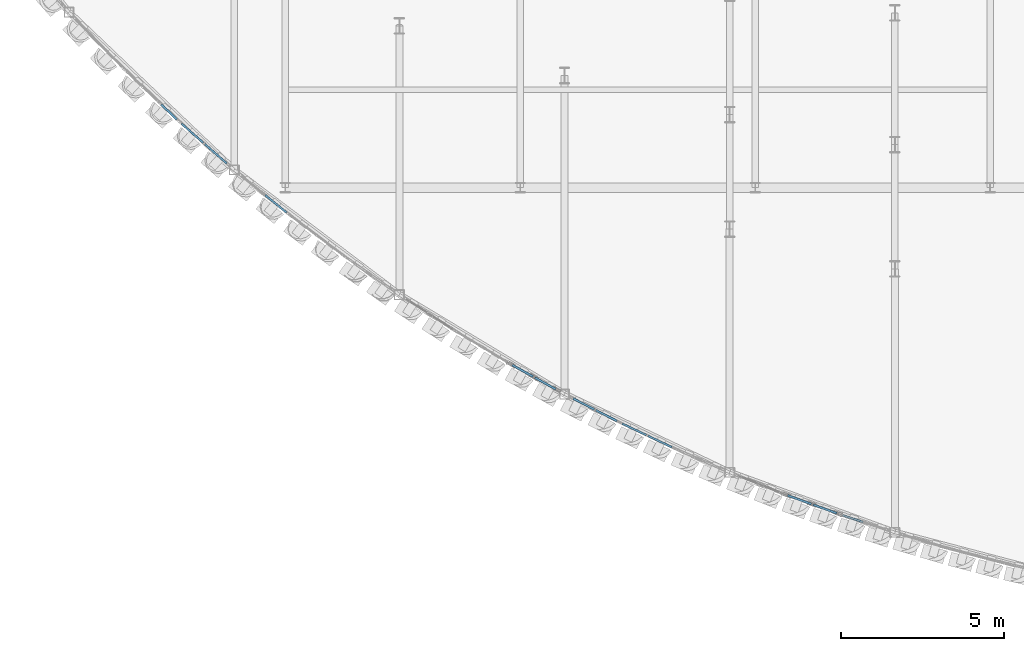
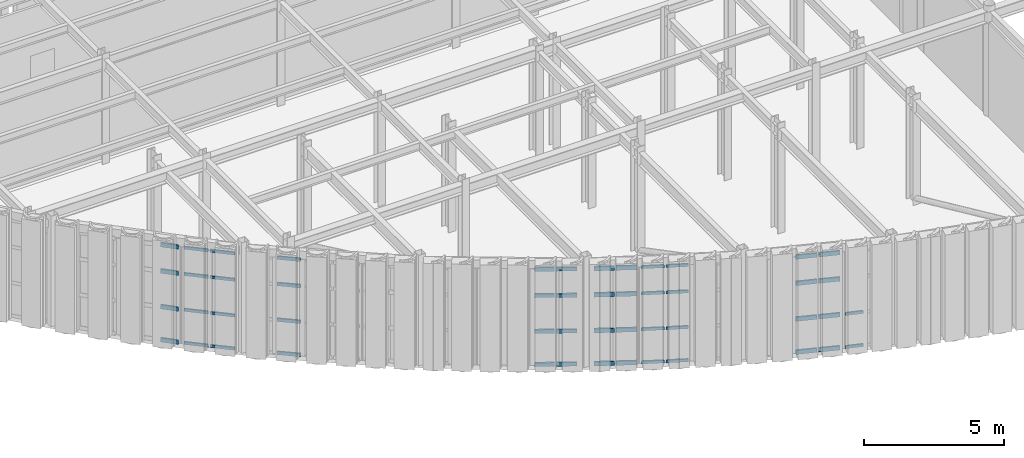
# One storey, part 65 of 121: 50 members, 8 elements without a shape of their own.
"""IFC4 building model written with IfcOpenShell, lengths in metres."""

import ifcopenshell
import ifcopenshell.guid

model = None  # the IFC model being written
_history = None  # IfcOwnerHistory: only IFC2X3 demands one
_inside = {}  # id of a spatial element -> (the spatial element, [elements in it])
_under = {}  # id of a project, library or spatial element -> (it, [spatial elements below it])
_declared = {}  # id of a project -> (the project, [libraries it declares])
_typed = {}  # id of a type object -> (the type object, [elements of that type])
_made_of = {}  # id of a material, layer set ... -> (it, [elements and type objects made of it])


def new_model(schema):
    """Start an empty IFC model of exactly this schema.

    Asked for "IFC4X3", IfcOpenShell would pick the latest addendum, in which some entities
    have other attributes; the version numbers below select the first issue.
    IFC2X3 requires an IfcOwnerHistory on every rooted entity: one is made here for all.
    """
    global model, _history
    if schema == "IFC4X3":
        model = ifcopenshell.file(schema_version=(4, 3, 0, 0))
    else:
        model = ifcopenshell.file(schema=schema)
    _inside.clear()
    _under.clear()
    _declared.clear()
    _typed.clear()
    _made_of.clear()
    _history = None
    if model.schema == "IFC2X3":
        org = make("IfcOrganization", Name="unknown")
        user = make(
            "IfcPersonAndOrganization",
            ThePerson=make("IfcPerson", FamilyName="unknown"),
            TheOrganization=org,
        )
        app = make(
            "IfcApplication",
            ApplicationDeveloper=org,
            Version="unknown",
            ApplicationFullName="unknown",
            ApplicationIdentifier="unknown",
        )
        _history = make(
            "IfcOwnerHistory",
            OwningUser=user,
            OwningApplication=app,
            ChangeAction="ADDED",
            CreationDate=0,
        )
    return model


def make(cls, **values):
    """One entity of the class cls with the attributes given. An attribute that is None is left unset."""
    return model.create_entity(
        cls, **{name: value for name, value in values.items() if value is not None}
    )


def rooted(cls, **values):
    """An entity with a GlobalId (a new one), such as an element, a storey or a relation."""
    return make(cls, GlobalId=ifcopenshell.guid.new(), OwnerHistory=_history, **values)


def si_unit(unit_type, name, prefix=None):
    """IfcSIUnit, for example si_unit("LENGTHUNIT", "METRE", prefix="MILLI")."""
    return make("IfcSIUnit", UnitType=unit_type, Prefix=prefix, Name=name)


def assignment(units):
    """IfcUnitAssignment: the units of a project."""
    return None if units is None else make("IfcUnitAssignment", Units=units)


def point(xyz):
    """IfcCartesianPoint."""
    return None if xyz is None else make("IfcCartesianPoint", Coordinates=xyz)


def direction(xyz):
    """IfcDirection."""
    return None if xyz is None else make("IfcDirection", DirectionRatios=xyz)


def frame(location, z_axis=None, x_axis=None):
    """IfcAxis2Placement3D, a coordinate frame: its origin and axes. An axis left out is left unset."""
    return make(
        "IfcAxis2Placement3D",
        Location=point(location),
        Axis=direction(z_axis),
        RefDirection=direction(x_axis),
    )


def frame_2d(location, x_axis=None):
    """IfcAxis2Placement2D, a coordinate frame in the plane: its origin and x axis."""
    return make(
        "IfcAxis2Placement2D", Location=point(location), RefDirection=direction(x_axis)
    )


def origin():
    """The frame at (0, 0, 0) with its axes left unset."""
    return frame((0.0, 0.0, 0.0))


def origin_2d():
    """The frame at (0, 0) in the plane with its x axis left unset."""
    return frame_2d((0.0, 0.0))


def place(relative_to, where):
    """IfcLocalPlacement: puts the frame where relative to a parent placement (None: the world)."""
    return make(
        "IfcLocalPlacement", PlacementRelTo=relative_to, RelativePlacement=where
    )


def context(
    kind, dimensions, precision=None, world=None, true_north=None, identifier=None
):
    """IfcGeometricRepresentationContext, for example the 3D "Model" context."""
    return make(
        "IfcGeometricRepresentationContext",
        ContextIdentifier=identifier,
        ContextType=kind,
        CoordinateSpaceDimension=dimensions,
        Precision=precision,
        WorldCoordinateSystem=world,
        TrueNorth=true_north,
    )


def subcontext(parent, identifier, kind, view, scale=None):
    """IfcGeometricRepresentationSubContext, for example "Body" below "Model"."""
    return make(
        "IfcGeometricRepresentationSubContext",
        ContextIdentifier=identifier,
        ContextType=kind,
        ParentContext=parent,
        TargetScale=scale,
        TargetView=view,
    )


def project(units=None, contexts=None):
    """IfcProject with its units and contexts."""
    return rooted(
        "IfcProject",
        Name="project",
        RepresentationContexts=contexts,
        UnitsInContext=assignment(units),
    )


def spatial(cls, under=None, at=None, **own):
    """A site, building, storey or space (cls), placed at a placement, below another one or the project."""
    s = rooted(cls, ObjectPlacement=at, **own)
    if under is not None:
        _under.setdefault(under.id(), (under, []))[1].append(s)
    return s


def profile(cls, at=None, kind="AREA", **sizes):
    """A parametric profile (cls). Its sizes go by their IFC names, for example OverallWidth=200.0."""
    return make(cls, ProfileType=kind, Position=at, **sizes)


def hollow_rectangle(**sizes):
    """IfcRectangleHollowProfileDef."""
    return profile("IfcRectangleHollowProfileDef", **sizes)


def extrude(swept, where, along, depth):
    """IfcExtrudedAreaSolid: the profile swept, set in the frame where, extruded along a direction by depth."""
    return make(
        "IfcExtrudedAreaSolid",
        SweptArea=swept,
        Position=where,
        ExtrudedDirection=direction(along),
        Depth=depth,
    )


def shape(context_of_items, identifier, shape_type, items):
    """IfcShapeRepresentation: the items that make up one representation, for example the "Body"."""
    return make(
        "IfcShapeRepresentation",
        ContextOfItems=context_of_items,
        RepresentationIdentifier=identifier,
        RepresentationType=shape_type,
        Items=items,
    )


def material(Name=None, Category=None):
    """IfcMaterial."""
    return make("IfcMaterial", Name=Name, Category=Category)


def layer(
    of_material, thickness, ventilated=None, Name=None, Category=None, Priority=None
):
    """IfcMaterialLayer: one layer of a wall or slab, of a material (None: an air gap)."""
    return make(
        "IfcMaterialLayer",
        Material=of_material,
        LayerThickness=thickness,
        IsVentilated=ventilated,
        Name=Name,
        Category=Category,
        Priority=Priority,
    )


def layer_set(layers, Name=None):
    """IfcMaterialLayerSet."""
    return make("IfcMaterialLayerSet", MaterialLayers=layers, LayerSetName=Name)


def material_profile(
    of_material, cross_section, Name=None, Category=None, Priority=None
):
    """IfcMaterialProfile: a cross section and its material."""
    return make(
        "IfcMaterialProfile",
        Name=Name,
        Material=of_material,
        Profile=cross_section,
        Priority=Priority,
        Category=Category,
    )


def profile_set(profiles, Name=None, composite=None):
    """IfcMaterialProfileSet."""
    return make(
        "IfcMaterialProfileSet",
        Name=Name,
        MaterialProfiles=profiles,
        CompositeProfile=composite,
    )


def made_of(thing, what):
    """Note that an element or type object is made of a material, layer set ...; save() writes the relation."""
    if what is not None:
        _made_of.setdefault(what.id(), (what, []))[1].append(thing)
    return thing


def type_object(cls, material=None, **own):
    """A type object (cls), such as IfcWallType, which elements share."""
    return made_of(rooted(cls, **own), material)


def element(
    cls,
    number,
    at=None,
    inside=None,
    cuts=None,
    type_object=None,
    material=None,
    context=None,
    identifier="Body",
    shape_type=None,
    held_by="IfcProductDefinitionShape",
    body=None,
    shapes=None,
    **own,
):
    """One element of the class cls, such as IfcWall. Its Tag is "e" and its number.

    at: its placement. inside: the storey or other place that contains it. cuts: it is an
    opening in that element (IfcRelVoidsElement). A single representation is given by context,
    identifier, shape_type and body (its items); several are given by shapes. held_by: the class
    of the entity that holds the representations. save() writes the other relations.
    """
    e = rooted(cls, Tag="e%d" % number, ObjectPlacement=at, **own)
    if body is not None:
        shapes = [shape(context, identifier, shape_type, body)]
    if shapes is not None:
        e.Representation = make(held_by, Representations=shapes)
    if inside is not None:
        _inside.setdefault(inside.id(), (inside, []))[1].append(e)
    if cuts is not None:
        rooted(
            "IfcRelVoidsElement", RelatingBuildingElement=cuts, RelatedOpeningElement=e
        )
    if type_object is not None:
        _typed.setdefault(type_object.id(), (type_object, []))[1].append(e)
    return made_of(e, material)


def aggregate(whole, parts):
    """IfcRelAggregates: a whole, such as a stair, and the parts it consists of."""
    return rooted("IfcRelAggregates", RelatingObject=whole, RelatedObjects=parts)


def save(model, path):
    """Write the relations noted so far, then the file.

    IfcRelAggregates (storeys below a building ...), IfcRelContainedInSpatialStructure (elements
    in a storey), IfcRelDefinesByType, IfcRelAssociatesMaterial and IfcRelDeclares: one each for
    every whole, place, type object, material and project.
    """
    for whole, parts in _under.values():
        aggregate(whole, parts)
    for where, things in _inside.values():
        rooted(
            "IfcRelContainedInSpatialStructure",
            RelatedElements=things,
            RelatingStructure=where,
        )
    for kind, things in _typed.values():
        rooted("IfcRelDefinesByType", RelatedObjects=things, RelatingType=kind)
    for what, things in _made_of.values():
        rooted("IfcRelAssociatesMaterial", RelatedObjects=things, RelatingMaterial=what)
    for by, libraries in _declared.values():
        rooted("IfcRelDeclares", RelatingContext=by, RelatedDefinitions=libraries)
    model.write(path)


model = new_model("IFC4")

# Units and contexts
model_context = context("Model", 3, precision=1e-05, world=origin(), true_north=direction((0.0, 1.0)))
body_context = subcontext(model_context, "Body", "Model", "MODEL_VIEW")
ifc_project = project(units=[si_unit("LENGTHUNIT", "METRE"), si_unit("AREAUNIT", "SQUARE_METRE"), si_unit("VOLUMEUNIT", "CUBIC_METRE"), si_unit("PLANEANGLEUNIT", "RADIAN"), si_unit("MASSUNIT", "GRAM", prefix="KILO")], contexts=[model_context])

# Site, building, storey
site_placement = place(None, origin())
site = spatial("IfcSite", under=ifc_project, at=site_placement, CompositionType="ELEMENT")
building_placement = place(site_placement, origin())
building = spatial("IfcBuilding", under=site, at=building_placement, Name="Solvadek Multi-Sports Hall", CompositionType="ELEMENT")
storey_placement = place(building_placement, frame((0.0, 0.0, 4.800048828125)))
storey = spatial("IfcBuildingStorey", under=building, at=storey_placement, Name="L01", CompositionType="ELEMENT", Elevation=4.800048828125)

# Curtain wall, members
ifc_material = material(Name="Anodised aluminium", Category="aluminium")
ifc_layer_1 = layer(ifc_material, 0.159912109375, Name="Anodised aluminium")
ifc_layer_set_1 = layer_set([ifc_layer_1], Name="Anodised aluminium")
curtain_wall_type_1 = type_object("IfcCurtainWallType", Name="ENV-CW-198X420", PredefinedType="USERDEFINED", material=ifc_layer_set_1)
curtain_wall_1_placement = place(storey_placement, origin())
curtain_wall_1 = element("IfcCurtainWall", 1, at=curtain_wall_1_placement, inside=storey, type_object=curtain_wall_type_1, Name="L01 Crescent Curved Curtain Wall #17", ObjectType="CURTAIN WALL", PredefinedType="USERDEFINED")
ifc_material_profile_1 = material_profile(ifc_material, hollow_rectangle(XDim=0.06005859375, YDim=0.1201171875, WallThickness=0.00390625, at=origin_2d()), Name="ALU-T 120x60x4")
ifc_profile_set_1 = profile_set([ifc_material_profile_1], Name="Anodised aluminium")
member_type_1 = type_object("IfcMemberType", Name="ENV-CWT-01", PredefinedType="USERDEFINED", material=ifc_profile_set_1)
member_1_placement = place(storey_placement, frame((40.020751953125, 1.96484375, 0.030029296875), z_axis=(0.751284365392, -0.659978637773, 0.0), x_axis=(0.659978637773, 0.751284365392, 0.0)))
member_1 = element("IfcMember", 2, at=member_1_placement, type_object=member_type_1, Name="CW-08 transom 1.1", ObjectType="TRANSOM", PredefinedType="USERDEFINED", context=body_context, shape_type="SweptSolid", body=[
    extrude(hollow_rectangle(XDim=0.06005859375, YDim=0.1201171875, WallThickness=0.00390625, at=origin_2d()), origin(), (0.0, 0.0, 1.0), 0.890380859375),
])
member_2_placement = place(storey_placement, frame((40.020751953125, 1.96484375, 1.469970703125), z_axis=(0.751284365392, -0.659978637773, 0.0), x_axis=(0.659978637773, 0.751284365392, 0.0)))
member_2 = element("IfcMember", 3, at=member_2_placement, type_object=member_type_1, Name="CW-08 transom 1.2", ObjectType="TRANSOM", PredefinedType="USERDEFINED", context=body_context, shape_type="SweptSolid", body=[
    extrude(hollow_rectangle(XDim=0.06005859375, YDim=0.1201171875, WallThickness=0.00390625, at=origin_2d()), origin(), (0.0, 0.0, 1.0), 0.890380859375),
])
member_3_placement = place(storey_placement, frame((40.020751953125, 1.96484375, 3.02392578125), z_axis=(0.751284365392, -0.659978637773, 0.0), x_axis=(0.659978637773, 0.751284365392, 0.0)))
member_3 = element("IfcMember", 4, at=member_3_placement, type_object=member_type_1, Name="CW-08 transom 1.3", ObjectType="TRANSOM", PredefinedType="USERDEFINED", context=body_context, shape_type="SweptSolid", body=[
    extrude(hollow_rectangle(XDim=0.06005859375, YDim=0.1201171875, WallThickness=0.00390625, at=origin_2d()), origin(), (0.0, 0.0, 1.0), 0.890380859375),
])
member_4_placement = place(storey_placement, frame((40.020751953125, 1.96484375, 4.169921875), z_axis=(0.751284365392, -0.659978637773, 0.0), x_axis=(0.659978637773, 0.751284365392, 0.0)))
member_4 = element("IfcMember", 5, at=member_4_placement, type_object=member_type_1, Name="CW-08 transom 1.4", ObjectType="TRANSOM", PredefinedType="USERDEFINED", context=body_context, shape_type="SweptSolid", body=[
    extrude(hollow_rectangle(XDim=0.06005859375, YDim=0.1201171875, WallThickness=0.00390625, at=origin_2d()), origin(), (0.0, 0.0, 1.0), 0.890380859375),
])
member_5_placement = place(storey_placement, frame((40.738525390625, 1.334228515625, 0.030029296875), z_axis=(0.75116489845, -0.660114607729, 0.0), x_axis=(0.660114607729, 0.75116489845, 0.0)))
member_5 = element("IfcMember", 6, at=member_5_placement, type_object=member_type_1, Name="CW-08 transom 2.1", ObjectType="TRANSOM", PredefinedType="USERDEFINED", context=body_context, shape_type="SweptSolid", body=[
    extrude(hollow_rectangle(XDim=0.06005859375, YDim=0.1201171875, WallThickness=0.00390625, at=origin_2d()), origin(), (0.0, 0.0, 1.0), 0.89013671875),
])
member_6_placement = place(storey_placement, frame((40.738525390625, 1.334228515625, 1.469970703125), z_axis=(0.75116489845, -0.660114607729, 0.0), x_axis=(0.660114607729, 0.75116489845, 0.0)))
member_6 = element("IfcMember", 7, at=member_6_placement, type_object=member_type_1, Name="CW-08 transom 2.2", ObjectType="TRANSOM", PredefinedType="USERDEFINED", context=body_context, shape_type="SweptSolid", body=[
    extrude(hollow_rectangle(XDim=0.06005859375, YDim=0.1201171875, WallThickness=0.00390625, at=origin_2d()), origin(), (0.0, 0.0, 1.0), 0.89013671875),
])
member_7_placement = place(storey_placement, frame((40.738525390625, 1.334228515625, 3.02392578125), z_axis=(0.75116489845, -0.660114607729, 0.0), x_axis=(0.660114607729, 0.75116489845, 0.0)))
member_7 = element("IfcMember", 8, at=member_7_placement, type_object=member_type_1, Name="CW-08 transom 2.3", ObjectType="TRANSOM", PredefinedType="USERDEFINED", context=body_context, shape_type="SweptSolid", body=[
    extrude(hollow_rectangle(XDim=0.06005859375, YDim=0.1201171875, WallThickness=0.00390625, at=origin_2d()), origin(), (0.0, 0.0, 1.0), 0.89013671875),
])
member_8_placement = place(storey_placement, frame((40.738525390625, 1.334228515625, 4.169921875), z_axis=(0.75116489845, -0.660114607729, 0.0), x_axis=(0.660114607729, 0.75116489845, 0.0)))
member_8 = element("IfcMember", 9, at=member_8_placement, type_object=member_type_1, Name="CW-08 transom 2.4", ObjectType="TRANSOM", PredefinedType="USERDEFINED", context=body_context, shape_type="SweptSolid", body=[
    extrude(hollow_rectangle(XDim=0.06005859375, YDim=0.1201171875, WallThickness=0.00390625, at=origin_2d()), origin(), (0.0, 0.0, 1.0), 0.89013671875),
])
aggregate(curtain_wall_1, [member_1, member_2, member_3, member_4, member_5, member_6, member_7, member_8])

ifc_layer_2 = layer(ifc_material, 0.159912109375, Name="Anodised aluminium")
ifc_layer_set_2 = layer_set([ifc_layer_2], Name="Anodised aluminium")
curtain_wall_type_2 = type_object("IfcCurtainWallType", Name="ENV-CW-181X420", PredefinedType="USERDEFINED", material=ifc_layer_set_2)
curtain_wall_2_placement = place(storey_placement, origin())
curtain_wall_2 = element("IfcCurtainWall", 10, at=curtain_wall_2_placement, inside=storey, type_object=curtain_wall_type_2, Name="L01 Crescent Curved Curtain Wall #33", ObjectType="CURTAIN WALL", PredefinedType="USERDEFINED")
member_9_placement = place(storey_placement, frame((53.52587890625, -7.2294921875, 0.030029296875), z_axis=(0.903713383726, -0.428137968503, 0.0), x_axis=(0.428137968503, 0.903713383726, 0.0)))
member_9 = element("IfcMember", 11, at=member_9_placement, type_object=member_type_1, Name="CW-16 transom 1.1", ObjectType="TRANSOM", PredefinedType="USERDEFINED", context=body_context, shape_type="SweptSolid", body=[
    extrude(hollow_rectangle(XDim=0.06005859375, YDim=0.1201171875, WallThickness=0.00390625, at=origin_2d()), origin(), (0.0, 0.0, 1.0), 0.813232421875),
])
member_10_placement = place(storey_placement, frame((53.52587890625, -7.2294921875, 1.469970703125), z_axis=(0.903713383726, -0.428137968503, 0.0), x_axis=(0.428137968503, 0.903713383726, 0.0)))
member_10 = element("IfcMember", 12, at=member_10_placement, type_object=member_type_1, Name="CW-16 transom 1.2", ObjectType="TRANSOM", PredefinedType="USERDEFINED", context=body_context, shape_type="SweptSolid", body=[
    extrude(hollow_rectangle(XDim=0.06005859375, YDim=0.1201171875, WallThickness=0.00390625, at=origin_2d()), origin(), (0.0, 0.0, 1.0), 0.813232421875),
])
member_11_placement = place(storey_placement, frame((53.52587890625, -7.2294921875, 3.02392578125), z_axis=(0.903713383726, -0.428137968503, 0.0), x_axis=(0.428137968503, 0.903713383726, 0.0)))
member_11 = element("IfcMember", 13, at=member_11_placement, type_object=member_type_1, Name="CW-16 transom 1.3", ObjectType="TRANSOM", PredefinedType="USERDEFINED", context=body_context, shape_type="SweptSolid", body=[
    extrude(hollow_rectangle(XDim=0.06005859375, YDim=0.1201171875, WallThickness=0.00390625, at=origin_2d()), origin(), (0.0, 0.0, 1.0), 0.813232421875),
])
member_12_placement = place(storey_placement, frame((53.52587890625, -7.2294921875, 4.169921875), z_axis=(0.903713383726, -0.428137968503, 0.0), x_axis=(0.428137968503, 0.903713383726, 0.0)))
member_12 = element("IfcMember", 14, at=member_12_placement, type_object=member_type_1, Name="CW-16 transom 1.4", ObjectType="TRANSOM", PredefinedType="USERDEFINED", context=body_context, shape_type="SweptSolid", body=[
    extrude(hollow_rectangle(XDim=0.06005859375, YDim=0.1201171875, WallThickness=0.00390625, at=origin_2d()), origin(), (0.0, 0.0, 1.0), 0.813232421875),
])
member_13_placement = place(storey_placement, frame((54.31494140625, -7.603271484375, 0.030029296875), z_axis=(0.903768395415, -0.428021830575, 0.0), x_axis=(0.428021830575, 0.903768395415, 0.0)))
member_13 = element("IfcMember", 15, at=member_13_placement, type_object=member_type_1, Name="CW-16 transom 2.1", ObjectType="TRANSOM", PredefinedType="USERDEFINED", context=body_context, shape_type="SweptSolid", body=[
    extrude(hollow_rectangle(XDim=0.06005859375, YDim=0.1201171875, WallThickness=0.00390625, at=origin_2d()), origin(), (0.0, 0.0, 1.0), 0.8134765625),
])
member_14_placement = place(storey_placement, frame((54.31494140625, -7.603271484375, 1.469970703125), z_axis=(0.903768395415, -0.428021830575, 0.0), x_axis=(0.428021830575, 0.903768395415, 0.0)))
member_14 = element("IfcMember", 16, at=member_14_placement, type_object=member_type_1, Name="CW-16 transom 2.2", ObjectType="TRANSOM", PredefinedType="USERDEFINED", context=body_context, shape_type="SweptSolid", body=[
    extrude(hollow_rectangle(XDim=0.06005859375, YDim=0.1201171875, WallThickness=0.00390625, at=origin_2d()), origin(), (0.0, 0.0, 1.0), 0.8134765625),
])
member_15_placement = place(storey_placement, frame((54.31494140625, -7.603271484375, 3.02392578125), z_axis=(0.903768395415, -0.428021830575, 0.0), x_axis=(0.428021830575, 0.903768395415, 0.0)))
member_15 = element("IfcMember", 17, at=member_15_placement, type_object=member_type_1, Name="CW-16 transom 2.3", ObjectType="TRANSOM", PredefinedType="USERDEFINED", context=body_context, shape_type="SweptSolid", body=[
    extrude(hollow_rectangle(XDim=0.06005859375, YDim=0.1201171875, WallThickness=0.00390625, at=origin_2d()), origin(), (0.0, 0.0, 1.0), 0.8134765625),
])
member_16_placement = place(storey_placement, frame((54.31494140625, -7.603271484375, 4.169921875), z_axis=(0.903768395415, -0.428021830575, 0.0), x_axis=(0.428021830575, 0.903768395415, 0.0)))
member_16 = element("IfcMember", 18, at=member_16_placement, type_object=member_type_1, Name="CW-16 transom 2.4", ObjectType="TRANSOM", PredefinedType="USERDEFINED", context=body_context, shape_type="SweptSolid", body=[
    extrude(hollow_rectangle(XDim=0.06005859375, YDim=0.1201171875, WallThickness=0.00390625, at=origin_2d()), origin(), (0.0, 0.0, 1.0), 0.8134765625),
])
aggregate(curtain_wall_2, [member_9, member_10, member_11, member_12, member_13, member_14, member_15, member_16])

ifc_layer_3 = layer(ifc_material, 0.159912109375, Name="Anodised aluminium")
ifc_layer_set_3 = layer_set([ifc_layer_3], Name="Anodised aluminium")
curtain_wall_type_3 = type_object("IfcCurtainWallType", Name="ENV-CW-151X420", PredefinedType="USERDEFINED", material=ifc_layer_set_3)
curtain_wall_3_placement = place(storey_placement, origin())
curtain_wall_3 = element("IfcCurtainWall", 19, at=curtain_wall_3_placement, inside=storey, type_object=curtain_wall_type_3, Name="L01 Crescent Curved Curtain Wall #41", ObjectType="CURTAIN WALL", PredefinedType="USERDEFINED")
member_17_placement = place(storey_placement, frame((60.27734375, -10.03662109375, 0.030029296875), z_axis=(0.95007387876, -0.312025038895, 0.0), x_axis=(0.312025038895, 0.95007387876, 0.0)))
member_17 = element("IfcMember", 20, at=member_17_placement, type_object=member_type_1, Name="CW-20 transom 1.1", ObjectType="TRANSOM", PredefinedType="USERDEFINED", context=body_context, shape_type="SweptSolid", body=[
    extrude(hollow_rectangle(XDim=0.06005859375, YDim=0.1201171875, WallThickness=0.00390625, at=origin_2d()), origin(), (0.0, 0.0, 1.0), 0.662841796875),
])
member_18_placement = place(storey_placement, frame((60.27734375, -10.03662109375, 1.469970703125), z_axis=(0.95007387876, -0.312025038895, 0.0), x_axis=(0.312025038895, 0.95007387876, 0.0)))
member_18 = element("IfcMember", 21, at=member_18_placement, type_object=member_type_1, Name="CW-20 transom 1.2", ObjectType="TRANSOM", PredefinedType="USERDEFINED", context=body_context, shape_type="SweptSolid", body=[
    extrude(hollow_rectangle(XDim=0.06005859375, YDim=0.1201171875, WallThickness=0.00390625, at=origin_2d()), origin(), (0.0, 0.0, 1.0), 0.662841796875),
])
aggregate(curtain_wall_3, [member_17, member_18])

ifc_layer_4 = layer(ifc_material, 0.159912109375, Name="Anodised aluminium")
ifc_layer_set_4 = layer_set([ifc_layer_4], Name="Anodised aluminium")
curtain_wall_type_4 = type_object("IfcCurtainWallType", Name="ENV-CW-190X420", PredefinedType="USERDEFINED", material=ifc_layer_set_4)
curtain_wall_4_placement = place(storey_placement, origin())
curtain_wall_4 = element("IfcCurtainWall", 22, at=curtain_wall_4_placement, inside=storey, type_object=curtain_wall_type_4, Name="L01 Crescent Curved Curtain Wall #19", ObjectType="CURTAIN WALL", PredefinedType="USERDEFINED")
ifc_material_profile_2 = material_profile(ifc_material, hollow_rectangle(XDim=0.06005859375, YDim=0.139892578125, WallThickness=0.00390625, at=origin_2d()), Name="ALU-T 140x60x4")
ifc_profile_set_2 = profile_set([ifc_material_profile_2], Name="Anodised aluminium")
member_type_2 = type_object("IfcMemberType", Name="ENV-CWT-02", PredefinedType="USERDEFINED", material=ifc_profile_set_2)
member_19_placement = place(storey_placement, frame((42.58837890625, -0.229248046875, 0.030029296875), z_axis=(0.775726024221, -0.631069833969, 0.0), x_axis=(0.631069833969, 0.775726024221, 0.0)))
member_19 = element("IfcMember", 23, at=member_19_placement, type_object=member_type_2, Name="CW-09 transom 2.1", ObjectType="TRANSOM", PredefinedType="USERDEFINED", context=body_context, shape_type="SweptSolid", body=[
    extrude(hollow_rectangle(XDim=0.06005859375, YDim=0.139892578125, WallThickness=0.00390625, at=origin_2d()), origin(), (0.0, 0.0, 1.0), 0.84716796875),
])
member_20_placement = place(storey_placement, frame((42.58837890625, -0.229248046875, 1.469970703125), z_axis=(0.775726024221, -0.631069833969, 0.0), x_axis=(0.631069833969, 0.775726024221, 0.0)))
member_20 = element("IfcMember", 24, at=member_20_placement, type_object=member_type_2, Name="CW-09 transom 2.2", ObjectType="TRANSOM", PredefinedType="USERDEFINED", context=body_context, shape_type="SweptSolid", body=[
    extrude(hollow_rectangle(XDim=0.06005859375, YDim=0.139892578125, WallThickness=0.00390625, at=origin_2d()), origin(), (0.0, 0.0, 1.0), 0.84716796875),
])
member_21_placement = place(storey_placement, frame((42.58837890625, -0.229248046875, 3.02392578125), z_axis=(0.775726024221, -0.631069833969, 0.0), x_axis=(0.631069833969, 0.775726024221, 0.0)))
member_21 = element("IfcMember", 25, at=member_21_placement, type_object=member_type_2, Name="CW-09 transom 2.3", ObjectType="TRANSOM", PredefinedType="USERDEFINED", context=body_context, shape_type="SweptSolid", body=[
    extrude(hollow_rectangle(XDim=0.06005859375, YDim=0.139892578125, WallThickness=0.00390625, at=origin_2d()), origin(), (0.0, 0.0, 1.0), 0.84716796875),
])
member_22_placement = place(storey_placement, frame((42.58837890625, -0.229248046875, 4.169921875), z_axis=(0.775726024221, -0.631069833969, 0.0), x_axis=(0.631069833969, 0.775726024221, 0.0)))
member_22 = element("IfcMember", 26, at=member_22_placement, type_object=member_type_2, Name="CW-09 transom 2.4", ObjectType="TRANSOM", PredefinedType="USERDEFINED", context=body_context, shape_type="SweptSolid", body=[
    extrude(hollow_rectangle(XDim=0.06005859375, YDim=0.139892578125, WallThickness=0.00390625, at=origin_2d()), origin(), (0.0, 0.0, 1.0), 0.84716796875),
])
aggregate(curtain_wall_4, [member_19, member_20, member_21, member_22])

ifc_layer_5 = layer(ifc_material, 0.159912109375, Name="Anodised aluminium")
ifc_layer_set_5 = layer_set([ifc_layer_5], Name="Anodised aluminium")
curtain_wall_type_5 = type_object("IfcCurtainWallType", Name="ENV-CW-166X420", PredefinedType="USERDEFINED", material=ifc_layer_set_5)
curtain_wall_5_placement = place(storey_placement, origin())
curtain_wall_5 = element("IfcCurtainWall", 27, at=curtain_wall_5_placement, inside=storey, type_object=curtain_wall_type_5, Name="L01 Crescent Curved Curtain Wall #29", ObjectType="CURTAIN WALL", PredefinedType="USERDEFINED")
ifc_material_profile_3 = material_profile(ifc_material, hollow_rectangle(XDim=0.06494140625, YDim=0.159912109375, WallThickness=0.00390625, at=origin_2d()), Name="ALU-T 160x65x4")
ifc_profile_set_3 = profile_set([ifc_material_profile_3], Name="Anodised aluminium")
member_type_3 = type_object("IfcMemberType", Name="ENV-CWT-03", PredefinedType="USERDEFINED", material=ifc_profile_set_3)
member_23_placement = place(storey_placement, frame((50.157958984375, -5.434326171875, 0.032470703125), z_axis=(0.873903092746, -0.486100179478, 0.0), x_axis=(0.486100179478, 0.873903092746, 0.0)))
member_23 = element("IfcMember", 28, at=member_23_placement, type_object=member_type_3, Name="CW-14 transom 1.1", ObjectType="TRANSOM", PredefinedType="USERDEFINED", context=body_context, shape_type="SweptSolid", body=[
    extrude(hollow_rectangle(XDim=0.06494140625, YDim=0.159912109375, WallThickness=0.00390625, at=origin_2d()), origin(), (0.0, 0.0, 1.0), 0.725341796875),
])
member_24_placement = place(storey_placement, frame((50.157958984375, -5.434326171875, 1.469970703125), z_axis=(0.873903092746, -0.486100179478, 0.0), x_axis=(0.486100179478, 0.873903092746, 0.0)))
member_24 = element("IfcMember", 29, at=member_24_placement, type_object=member_type_3, Name="CW-14 transom 1.2", ObjectType="TRANSOM", PredefinedType="USERDEFINED", context=body_context, shape_type="SweptSolid", body=[
    extrude(hollow_rectangle(XDim=0.06494140625, YDim=0.159912109375, WallThickness=0.00390625, at=origin_2d()), origin(), (0.0, 0.0, 1.0), 0.725341796875),
])
member_25_placement = place(storey_placement, frame((50.157958984375, -5.434326171875, 3.02392578125), z_axis=(0.873903092746, -0.486100179478, 0.0), x_axis=(0.486100179478, 0.873903092746, 0.0)))
member_25 = element("IfcMember", 30, at=member_25_placement, type_object=member_type_3, Name="CW-14 transom 1.3", ObjectType="TRANSOM", PredefinedType="USERDEFINED", context=body_context, shape_type="SweptSolid", body=[
    extrude(hollow_rectangle(XDim=0.06494140625, YDim=0.159912109375, WallThickness=0.00390625, at=origin_2d()), origin(), (0.0, 0.0, 1.0), 0.725341796875),
])
member_26_placement = place(storey_placement, frame((50.157958984375, -5.434326171875, 4.16748046875), z_axis=(0.873903092746, -0.486100179478, 0.0), x_axis=(0.486100179478, 0.873903092746, 0.0)))
member_26 = element("IfcMember", 31, at=member_26_placement, type_object=member_type_3, Name="CW-14 transom 1.4", ObjectType="TRANSOM", PredefinedType="USERDEFINED", context=body_context, shape_type="SweptSolid", body=[
    extrude(hollow_rectangle(XDim=0.06494140625, YDim=0.159912109375, WallThickness=0.00390625, at=origin_2d()), origin(), (0.0, 0.0, 1.0), 0.725341796875),
])
member_27_placement = place(storey_placement, frame((50.85302734375, -5.82080078125, 0.032470703125), z_axis=(0.873903092746, -0.486100179478, 0.0), x_axis=(0.486100179478, 0.873903092746, 0.0)))
member_27 = element("IfcMember", 32, at=member_27_placement, type_object=member_type_3, Name="CW-14 transom 2.1", ObjectType="TRANSOM", PredefinedType="USERDEFINED", context=body_context, shape_type="SweptSolid", body=[
    extrude(hollow_rectangle(XDim=0.06494140625, YDim=0.159912109375, WallThickness=0.00390625, at=origin_2d()), origin(), (0.0, 0.0, 1.0), 0.725341796875),
])
member_28_placement = place(storey_placement, frame((50.85302734375, -5.82080078125, 1.469970703125), z_axis=(0.873903092746, -0.486100179478, 0.0), x_axis=(0.486100179478, 0.873903092746, 0.0)))
member_28 = element("IfcMember", 33, at=member_28_placement, type_object=member_type_3, Name="CW-14 transom 2.2", ObjectType="TRANSOM", PredefinedType="USERDEFINED", context=body_context, shape_type="SweptSolid", body=[
    extrude(hollow_rectangle(XDim=0.06494140625, YDim=0.159912109375, WallThickness=0.00390625, at=origin_2d()), origin(), (0.0, 0.0, 1.0), 0.725341796875),
])
member_29_placement = place(storey_placement, frame((50.85302734375, -5.82080078125, 3.02392578125), z_axis=(0.873903092746, -0.486100179478, 0.0), x_axis=(0.486100179478, 0.873903092746, 0.0)))
member_29 = element("IfcMember", 34, at=member_29_placement, type_object=member_type_3, Name="CW-14 transom 2.3", ObjectType="TRANSOM", PredefinedType="USERDEFINED", context=body_context, shape_type="SweptSolid", body=[
    extrude(hollow_rectangle(XDim=0.06494140625, YDim=0.159912109375, WallThickness=0.00390625, at=origin_2d()), origin(), (0.0, 0.0, 1.0), 0.725341796875),
])
member_30_placement = place(storey_placement, frame((50.85302734375, -5.82080078125, 4.16748046875), z_axis=(0.873903092746, -0.486100179478, 0.0), x_axis=(0.486100179478, 0.873903092746, 0.0)))
member_30 = element("IfcMember", 35, at=member_30_placement, type_object=member_type_3, Name="CW-14 transom 2.4", ObjectType="TRANSOM", PredefinedType="USERDEFINED", context=body_context, shape_type="SweptSolid", body=[
    extrude(hollow_rectangle(XDim=0.06494140625, YDim=0.159912109375, WallThickness=0.00390625, at=origin_2d()), origin(), (0.0, 0.0, 1.0), 0.725341796875),
])
aggregate(curtain_wall_5, [member_23, member_24, member_25, member_26, member_27, member_28, member_29, member_30])

ifc_layer_6 = layer(ifc_material, 0.159912109375, Name="Anodised aluminium")
ifc_layer_set_6 = layer_set([ifc_layer_6], Name="Anodised aluminium")
curtain_wall_type_6 = type_object("IfcCurtainWallType", Name="ENV-CW-227X420", PredefinedType="USERDEFINED", material=ifc_layer_set_6)
curtain_wall_6_placement = place(storey_placement, origin())
curtain_wall_6 = element("IfcCurtainWall", 36, at=curtain_wall_6_placement, inside=storey, type_object=curtain_wall_type_6, Name="L01 Crescent Curved Curtain Wall #15", ObjectType="CURTAIN WALL", PredefinedType="USERDEFINED")
ifc_material_profile_4 = material_profile(ifc_material, hollow_rectangle(XDim=0.06494140625, YDim=0.179931640625, WallThickness=0.0048828125, at=origin_2d()), Name="ALU-T 180x65x5")
ifc_profile_set_4 = profile_set([ifc_material_profile_4], Name="Anodised aluminium")
member_type_4 = type_object("IfcMemberType", Name="ENV-CWT-04", PredefinedType="USERDEFINED", material=ifc_profile_set_4)
member_31_placement = place(storey_placement, frame((39.403564453125, 2.546630859375, 0.032470703125), z_axis=(0.72468453062, -0.689080787049, 0.0), x_axis=(0.689080787049, 0.72468453062, 0.0)))
member_31 = element("IfcMember", 37, at=member_31_placement, type_object=member_type_4, Name="CW-06 transom 3.1", ObjectType="TRANSOM", PredefinedType="USERDEFINED", context=body_context, shape_type="SweptSolid", body=[
    extrude(hollow_rectangle(XDim=0.06494140625, YDim=0.179931640625, WallThickness=0.0048828125, at=origin_2d()), origin(), (0.0, 0.0, 1.0), 0.658203125),
])
member_32_placement = place(storey_placement, frame((39.403564453125, 2.546630859375, 1.469970703125), z_axis=(0.72468453062, -0.689080787049, 0.0), x_axis=(0.689080787049, 0.72468453062, 0.0)))
member_32 = element("IfcMember", 38, at=member_32_placement, type_object=member_type_4, Name="CW-06 transom 3.2", ObjectType="TRANSOM", PredefinedType="USERDEFINED", context=body_context, shape_type="SweptSolid", body=[
    extrude(hollow_rectangle(XDim=0.06494140625, YDim=0.179931640625, WallThickness=0.0048828125, at=origin_2d()), origin(), (0.0, 0.0, 1.0), 0.658203125),
])
member_33_placement = place(storey_placement, frame((39.403564453125, 2.546630859375, 3.02392578125), z_axis=(0.72468453062, -0.689080787049, 0.0), x_axis=(0.689080787049, 0.72468453062, 0.0)))
member_33 = element("IfcMember", 39, at=member_33_placement, type_object=member_type_4, Name="CW-06 transom 3.3", ObjectType="TRANSOM", PredefinedType="USERDEFINED", context=body_context, shape_type="SweptSolid", body=[
    extrude(hollow_rectangle(XDim=0.06494140625, YDim=0.179931640625, WallThickness=0.0048828125, at=origin_2d()), origin(), (0.0, 0.0, 1.0), 0.658203125),
])
member_34_placement = place(storey_placement, frame((39.403564453125, 2.546630859375, 4.16748046875), z_axis=(0.72468453062, -0.689080787049, 0.0), x_axis=(0.689080787049, 0.72468453062, 0.0)))
member_34 = element("IfcMember", 40, at=member_34_placement, type_object=member_type_4, Name="CW-06 transom 3.4", ObjectType="TRANSOM", PredefinedType="USERDEFINED", context=body_context, shape_type="SweptSolid", body=[
    extrude(hollow_rectangle(XDim=0.06494140625, YDim=0.179931640625, WallThickness=0.0048828125, at=origin_2d()), origin(), (0.0, 0.0, 1.0), 0.658203125),
])
aggregate(curtain_wall_6, [member_31, member_32, member_33, member_34])

ifc_layer_7 = layer(ifc_material, 0.159912109375, Name="Anodised aluminium")
ifc_layer_set_7 = layer_set([ifc_layer_7], Name="Anodised aluminium")
curtain_wall_type_7 = type_object("IfcCurtainWallType", Name="ENV-CW-163X420", PredefinedType="USERDEFINED", material=ifc_layer_set_7)
curtain_wall_7_placement = place(storey_placement, origin())
curtain_wall_7 = element("IfcCurtainWall", 41, at=curtain_wall_7_placement, inside=storey, type_object=curtain_wall_type_7, Name="L01 Crescent Curved Curtain Wall #31", ObjectType="CURTAIN WALL", PredefinedType="USERDEFINED")
member_35_placement = place(storey_placement, frame((52.0244140625, -6.461181640625, 0.032470703125), z_axis=(0.889444648702, -0.457042904874, 0.0), x_axis=(0.457042904874, 0.889444648702, 0.0)))
member_35 = element("IfcMember", 42, at=member_35_placement, type_object=member_type_4, Name="CW-15 transom 1.1", ObjectType="TRANSOM", PredefinedType="USERDEFINED", context=body_context, shape_type="SweptSolid", body=[
    extrude(hollow_rectangle(XDim=0.06494140625, YDim=0.179931640625, WallThickness=0.0048828125, at=origin_2d()), origin(), (0.0, 0.0, 1.0), 0.723388671875),
])
member_36_placement = place(storey_placement, frame((52.0244140625, -6.461181640625, 1.469970703125), z_axis=(0.889444648702, -0.457042904874, 0.0), x_axis=(0.457042904874, 0.889444648702, 0.0)))
member_36 = element("IfcMember", 43, at=member_36_placement, type_object=member_type_4, Name="CW-15 transom 1.2", ObjectType="TRANSOM", PredefinedType="USERDEFINED", context=body_context, shape_type="SweptSolid", body=[
    extrude(hollow_rectangle(XDim=0.06494140625, YDim=0.179931640625, WallThickness=0.0048828125, at=origin_2d()), origin(), (0.0, 0.0, 1.0), 0.723388671875),
])
member_37_placement = place(storey_placement, frame((52.0244140625, -6.461181640625, 3.02392578125), z_axis=(0.889444648702, -0.457042904874, 0.0), x_axis=(0.457042904874, 0.889444648702, 0.0)))
member_37 = element("IfcMember", 44, at=member_37_placement, type_object=member_type_4, Name="CW-15 transom 1.3", ObjectType="TRANSOM", PredefinedType="USERDEFINED", context=body_context, shape_type="SweptSolid", body=[
    extrude(hollow_rectangle(XDim=0.06494140625, YDim=0.179931640625, WallThickness=0.0048828125, at=origin_2d()), origin(), (0.0, 0.0, 1.0), 0.723388671875),
])
member_38_placement = place(storey_placement, frame((52.0244140625, -6.461181640625, 4.16748046875), z_axis=(0.889444648702, -0.457042904874, 0.0), x_axis=(0.457042904874, 0.889444648702, 0.0)))
member_38 = element("IfcMember", 45, at=member_38_placement, type_object=member_type_4, Name="CW-15 transom 1.4", ObjectType="TRANSOM", PredefinedType="USERDEFINED", context=body_context, shape_type="SweptSolid", body=[
    extrude(hollow_rectangle(XDim=0.06494140625, YDim=0.179931640625, WallThickness=0.0048828125, at=origin_2d()), origin(), (0.0, 0.0, 1.0), 0.723388671875),
])
member_39_placement = place(storey_placement, frame((52.72119140625, -6.819091796875, 0.032470703125), z_axis=(0.889444648702, -0.457042904874, 0.0), x_axis=(0.457042904874, 0.889444648702, 0.0)))
member_39 = element("IfcMember", 46, at=member_39_placement, type_object=member_type_4, Name="CW-15 transom 2.1", ObjectType="TRANSOM", PredefinedType="USERDEFINED", context=body_context, shape_type="SweptSolid", body=[
    extrude(hollow_rectangle(XDim=0.06494140625, YDim=0.179931640625, WallThickness=0.0048828125, at=origin_2d()), origin(), (0.0, 0.0, 1.0), 0.723388671875),
])
member_40_placement = place(storey_placement, frame((52.72119140625, -6.819091796875, 1.469970703125), z_axis=(0.889444648702, -0.457042904874, 0.0), x_axis=(0.457042904874, 0.889444648702, 0.0)))
member_40 = element("IfcMember", 47, at=member_40_placement, type_object=member_type_4, Name="CW-15 transom 2.2", ObjectType="TRANSOM", PredefinedType="USERDEFINED", context=body_context, shape_type="SweptSolid", body=[
    extrude(hollow_rectangle(XDim=0.06494140625, YDim=0.179931640625, WallThickness=0.0048828125, at=origin_2d()), origin(), (0.0, 0.0, 1.0), 0.723388671875),
])
member_41_placement = place(storey_placement, frame((52.72119140625, -6.819091796875, 3.02392578125), z_axis=(0.889444648702, -0.457042904874, 0.0), x_axis=(0.457042904874, 0.889444648702, 0.0)))
member_41 = element("IfcMember", 48, at=member_41_placement, type_object=member_type_4, Name="CW-15 transom 2.3", ObjectType="TRANSOM", PredefinedType="USERDEFINED", context=body_context, shape_type="SweptSolid", body=[
    extrude(hollow_rectangle(XDim=0.06494140625, YDim=0.179931640625, WallThickness=0.0048828125, at=origin_2d()), origin(), (0.0, 0.0, 1.0), 0.723388671875),
])
member_42_placement = place(storey_placement, frame((52.72119140625, -6.819091796875, 4.16748046875), z_axis=(0.889444648702, -0.457042904874, 0.0), x_axis=(0.457042904874, 0.889444648702, 0.0)))
member_42 = element("IfcMember", 49, at=member_42_placement, type_object=member_type_4, Name="CW-15 transom 2.4", ObjectType="TRANSOM", PredefinedType="USERDEFINED", context=body_context, shape_type="SweptSolid", body=[
    extrude(hollow_rectangle(XDim=0.06494140625, YDim=0.179931640625, WallThickness=0.0048828125, at=origin_2d()), origin(), (0.0, 0.0, 1.0), 0.723388671875),
])
aggregate(curtain_wall_7, [member_35, member_36, member_37, member_38, member_39, member_40, member_41, member_42])

ifc_layer_8 = layer(ifc_material, 0.159912109375, Name="Anodised aluminium")
ifc_layer_set_8 = layer_set([ifc_layer_8], Name="Anodised aluminium")
curtain_wall_type_8 = type_object("IfcCurtainWallType", Name="ENV-CW-173X420", PredefinedType="USERDEFINED", material=ifc_layer_set_8)
curtain_wall_8_placement = place(storey_placement, origin())
curtain_wall_8 = element("IfcCurtainWall", 50, at=curtain_wall_8_placement, inside=storey, type_object=curtain_wall_type_8, Name="L01 Crescent Curved Curtain Wall #39", ObjectType="CURTAIN WALL", PredefinedType="USERDEFINED")
member_43_placement = place(storey_placement, frame((58.59912109375, -9.430419921875, 0.032470703125), z_axis=(0.940026985899, -0.341100081766, 0.0), x_axis=(0.341100081766, 0.940026985899, 0.0)))
member_43 = element("IfcMember", 51, at=member_43_placement, type_object=member_type_4, Name="CW-19 transom 1.1", ObjectType="TRANSOM", PredefinedType="USERDEFINED", context=body_context, shape_type="SweptSolid", body=[
    extrude(hollow_rectangle(XDim=0.06494140625, YDim=0.179931640625, WallThickness=0.0048828125, at=origin_2d()), origin(), (0.0, 0.0, 1.0), 0.76220703125),
])
member_44_placement = place(storey_placement, frame((58.59912109375, -9.430419921875, 1.469970703125), z_axis=(0.940026985899, -0.341100081766, 0.0), x_axis=(0.341100081766, 0.940026985899, 0.0)))
member_44 = element("IfcMember", 52, at=member_44_placement, type_object=member_type_4, Name="CW-19 transom 1.2", ObjectType="TRANSOM", PredefinedType="USERDEFINED", context=body_context, shape_type="SweptSolid", body=[
    extrude(hollow_rectangle(XDim=0.06494140625, YDim=0.179931640625, WallThickness=0.0048828125, at=origin_2d()), origin(), (0.0, 0.0, 1.0), 0.76220703125),
])
member_45_placement = place(storey_placement, frame((58.59912109375, -9.430419921875, 3.02392578125), z_axis=(0.940026985899, -0.341100081766, 0.0), x_axis=(0.341100081766, 0.940026985899, 0.0)))
member_45 = element("IfcMember", 53, at=member_45_placement, type_object=member_type_4, Name="CW-19 transom 1.3", ObjectType="TRANSOM", PredefinedType="USERDEFINED", context=body_context, shape_type="SweptSolid", body=[
    extrude(hollow_rectangle(XDim=0.06494140625, YDim=0.179931640625, WallThickness=0.0048828125, at=origin_2d()), origin(), (0.0, 0.0, 1.0), 0.76220703125),
])
member_46_placement = place(storey_placement, frame((58.59912109375, -9.430419921875, 4.16748046875), z_axis=(0.940026985899, -0.341100081766, 0.0), x_axis=(0.341100081766, 0.940026985899, 0.0)))
member_46 = element("IfcMember", 54, at=member_46_placement, type_object=member_type_4, Name="CW-19 transom 1.4", ObjectType="TRANSOM", PredefinedType="USERDEFINED", context=body_context, shape_type="SweptSolid", body=[
    extrude(hollow_rectangle(XDim=0.06494140625, YDim=0.179931640625, WallThickness=0.0048828125, at=origin_2d()), origin(), (0.0, 0.0, 1.0), 0.76220703125),
])
member_47_placement = place(storey_placement, frame((59.38134765625, -9.71435546875, 0.032470703125), z_axis=(0.940026985899, -0.341100081766, 0.0), x_axis=(0.341100081766, 0.940026985899, 0.0)))
member_47 = element("IfcMember", 55, at=member_47_placement, type_object=member_type_4, Name="CW-19 transom 2.1", ObjectType="TRANSOM", PredefinedType="USERDEFINED", context=body_context, shape_type="SweptSolid", body=[
    extrude(hollow_rectangle(XDim=0.06494140625, YDim=0.179931640625, WallThickness=0.0048828125, at=origin_2d()), origin(), (0.0, 0.0, 1.0), 0.76220703125),
])
member_48_placement = place(storey_placement, frame((59.38134765625, -9.71435546875, 1.469970703125), z_axis=(0.940026985899, -0.341100081766, 0.0), x_axis=(0.341100081766, 0.940026985899, 0.0)))
member_48 = element("IfcMember", 56, at=member_48_placement, type_object=member_type_4, Name="CW-19 transom 2.2", ObjectType="TRANSOM", PredefinedType="USERDEFINED", context=body_context, shape_type="SweptSolid", body=[
    extrude(hollow_rectangle(XDim=0.06494140625, YDim=0.179931640625, WallThickness=0.0048828125, at=origin_2d()), origin(), (0.0, 0.0, 1.0), 0.76220703125),
])
member_49_placement = place(storey_placement, frame((59.38134765625, -9.71435546875, 3.02392578125), z_axis=(0.940026985899, -0.341100081766, 0.0), x_axis=(0.341100081766, 0.940026985899, 0.0)))
member_49 = element("IfcMember", 57, at=member_49_placement, type_object=member_type_4, Name="CW-19 transom 2.3", ObjectType="TRANSOM", PredefinedType="USERDEFINED", context=body_context, shape_type="SweptSolid", body=[
    extrude(hollow_rectangle(XDim=0.06494140625, YDim=0.179931640625, WallThickness=0.0048828125, at=origin_2d()), origin(), (0.0, 0.0, 1.0), 0.76220703125),
])
member_50_placement = place(storey_placement, frame((59.38134765625, -9.71435546875, 4.16748046875), z_axis=(0.940026985899, -0.341100081766, 0.0), x_axis=(0.341100081766, 0.940026985899, 0.0)))
member_50 = element("IfcMember", 58, at=member_50_placement, type_object=member_type_4, Name="CW-19 transom 2.4", ObjectType="TRANSOM", PredefinedType="USERDEFINED", context=body_context, shape_type="SweptSolid", body=[
    extrude(hollow_rectangle(XDim=0.06494140625, YDim=0.179931640625, WallThickness=0.0048828125, at=origin_2d()), origin(), (0.0, 0.0, 1.0), 0.76220703125),
])
aggregate(curtain_wall_8, [member_43, member_44, member_45, member_46, member_47, member_48, member_49, member_50])

save(model, "model.ifc")
